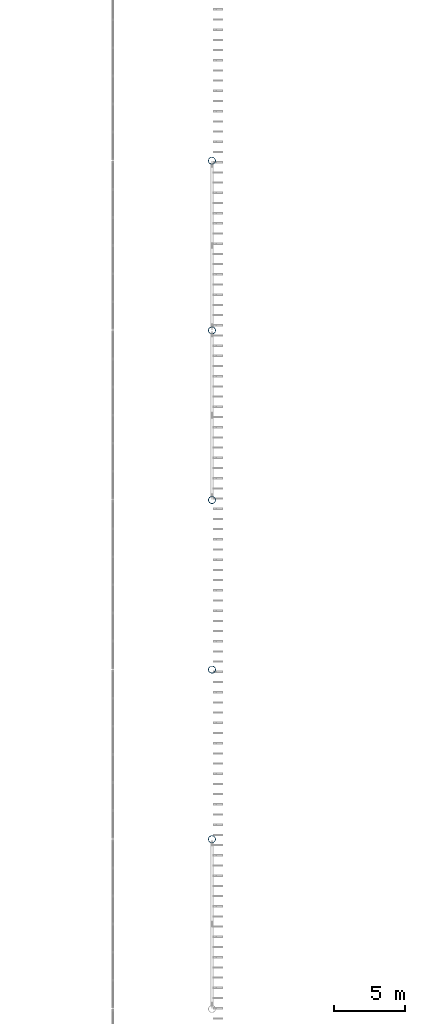
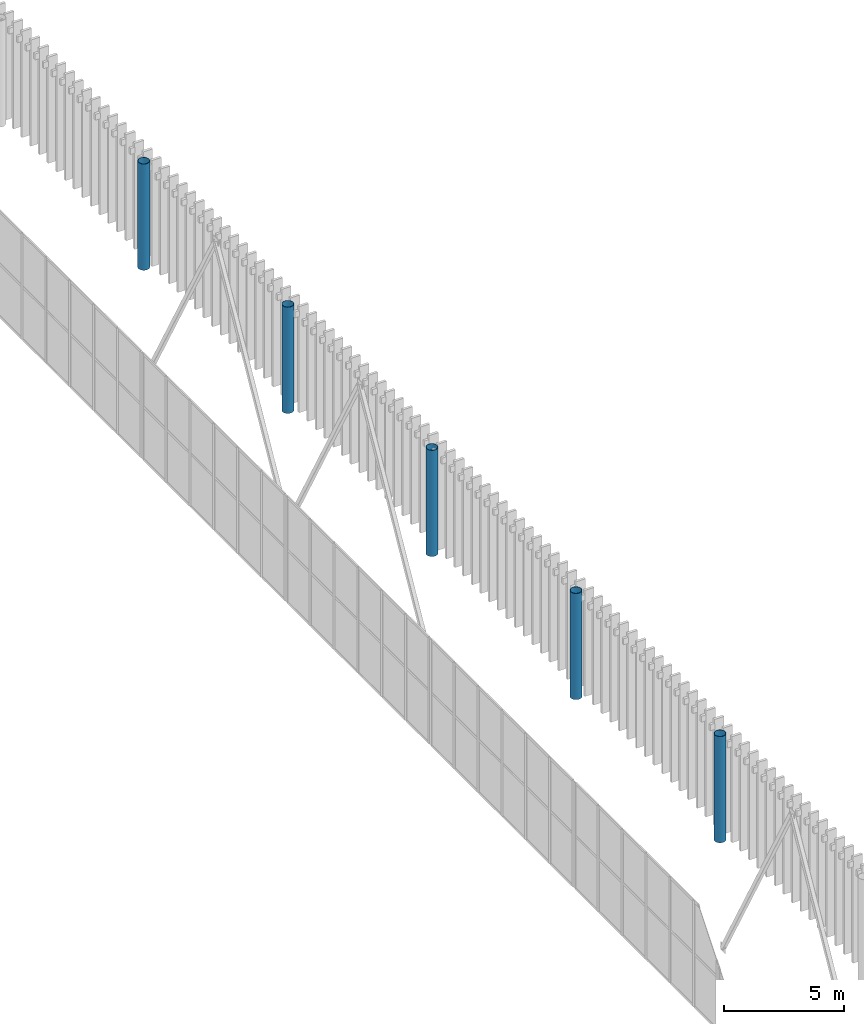
# One storey, part 6 of 170: 5 columns.
"""IFC4 building model written with IfcOpenShell, lengths in metres."""

from ifc_helpers import new_model, si_unit, direction, frame, origin, origin_2d, place, context, subcontext, project, spatial, hollow_circle, extrude, material, material_profile, profile_set, type_object, element, save


model = new_model("IFC4")

# Units and contexts
model_context = context("Model", 3, precision=1e-05, world=origin(), true_north=direction((0.0, 1.0)))
body_context = subcontext(model_context, "Body", "Model", "MODEL_VIEW")
ifc_project = project(units=[si_unit("LENGTHUNIT", "METRE"), si_unit("AREAUNIT", "SQUARE_METRE"), si_unit("VOLUMEUNIT", "CUBIC_METRE"), si_unit("PLANEANGLEUNIT", "RADIAN"), si_unit("MASSUNIT", "GRAM", prefix="KILO")], contexts=[model_context])

# Site, building, storey
site_placement = place(None, origin())
site = spatial("IfcSite", under=ifc_project, at=site_placement, CompositionType="ELEMENT")
building_placement = place(site_placement, origin())
building = spatial("IfcBuilding", under=site, at=building_placement, Name="Ravi Spectrum Wholesale Market", CompositionType="ELEMENT")
storey_placement = place(building_placement, frame((0.0, 0.0, 5.39990234375)))
storey = spatial("IfcBuildingStorey", under=building, at=storey_placement, Name="L01", CompositionType="ELEMENT", Elevation=5.39990234375)

# Columns
ifc_material = material(Name="Steel S355", Category="steel")
ifc_material_profile = material_profile(ifc_material, hollow_circle(Radius=0.25390625, WallThickness=0.01611328125, at=origin_2d()))
ifc_profile_set = profile_set([ifc_material_profile], Name="Steel S355")
column_type = type_object("IfcColumnType", Name="CHS 508x16 column", PredefinedType="COLUMN", material=ifc_profile_set)
for number, where, z_axis, x_axis, name in (
    (1, (110.0, 78.0, 0.0), (0.0, 0.0, 1.0), (1.0, 0.0, 0.0), "H1-COL-L01-020"),
    (2, (110.0, 90.0, 0.0), (0.0, 0.0, 1.0), (1.0, 0.0, 0.0), "H1-COL-L01-021"),
    (3, (110.0, 102.0, 0.0), (0.0, 0.0, 1.0), (1.0, 0.0, 0.0), "H1-COL-L01-022"),
    (4, (110.0, 114.0, 0.0), (0.0, 0.0, 1.0), (1.0, 0.0, 0.0), "H1-COL-L01-023"),
    (5, (110.0, 126.0, 0.0), (0.0, 0.0, 1.0), (1.0, 0.0, 0.0), "H1-COL-L01-024"),
):
    element("IfcColumn", number, at=place(storey_placement, frame(where, z_axis=z_axis, x_axis=x_axis)), inside=storey, type_object=column_type, Name=name, PredefinedType="COLUMN", context=body_context, shape_type="SweptSolid", body=[
        extrude(hollow_circle(Radius=0.25390625, WallThickness=0.01611328125, at=origin_2d()), origin(), (0.0, 0.0, 1.0), 5.400146484375),
    ])

save(model, "model.ifc")
